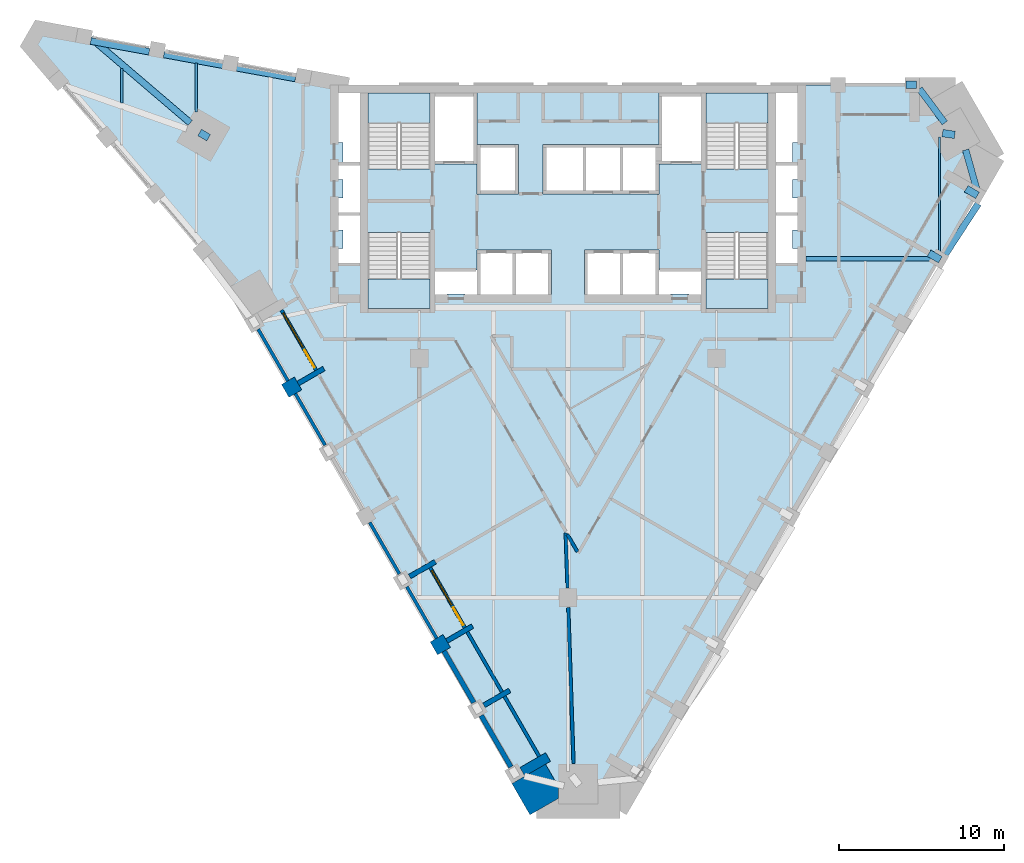
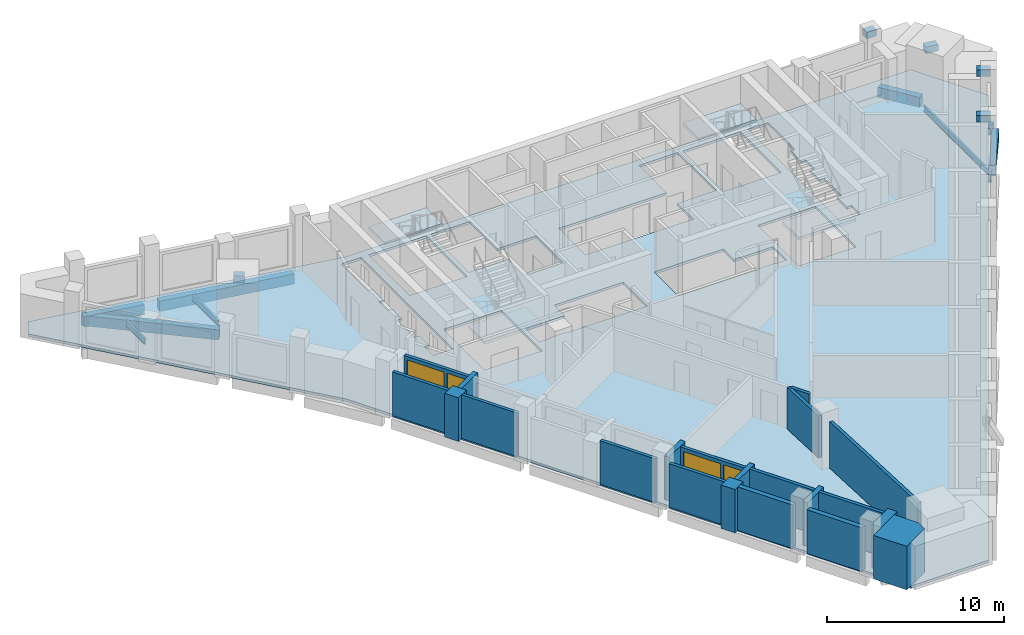
# One storey, part 2 of 9: 21 walls, 15 beams, 5 slabs, 2 doors, 2 windows, 4 openings, 4 elements without a shape of their own.
"""IFC4 building model written with IfcOpenShell, lengths in metres."""

import ifcopenshell
import ifcopenshell.guid

model = None  # the IFC model being written
_history = None  # IfcOwnerHistory: only IFC2X3 demands one
_inside = {}  # id of a spatial element -> (the spatial element, [elements in it])
_under = {}  # id of a project, library or spatial element -> (it, [spatial elements below it])
_declared = {}  # id of a project -> (the project, [libraries it declares])
_typed = {}  # id of a type object -> (the type object, [elements of that type])
_made_of = {}  # id of a material, layer set ... -> (it, [elements and type objects made of it])


def new_model(schema):
    """Start an empty IFC model of exactly this schema.

    Asked for "IFC4X3", IfcOpenShell would pick the latest addendum, in which some entities
    have other attributes; the version numbers below select the first issue.
    IFC2X3 requires an IfcOwnerHistory on every rooted entity: one is made here for all.
    """
    global model, _history
    if schema == "IFC4X3":
        model = ifcopenshell.file(schema_version=(4, 3, 0, 0))
    else:
        model = ifcopenshell.file(schema=schema)
    _inside.clear()
    _under.clear()
    _declared.clear()
    _typed.clear()
    _made_of.clear()
    _history = None
    if model.schema == "IFC2X3":
        org = make("IfcOrganization", Name="unknown")
        user = make(
            "IfcPersonAndOrganization",
            ThePerson=make("IfcPerson", FamilyName="unknown"),
            TheOrganization=org,
        )
        app = make(
            "IfcApplication",
            ApplicationDeveloper=org,
            Version="unknown",
            ApplicationFullName="unknown",
            ApplicationIdentifier="unknown",
        )
        _history = make(
            "IfcOwnerHistory",
            OwningUser=user,
            OwningApplication=app,
            ChangeAction="ADDED",
            CreationDate=0,
        )
    return model


def make(cls, **values):
    """One entity of the class cls with the attributes given. An attribute that is None is left unset."""
    return model.create_entity(
        cls, **{name: value for name, value in values.items() if value is not None}
    )


def rooted(cls, **values):
    """An entity with a GlobalId (a new one), such as an element, a storey or a relation."""
    return make(cls, GlobalId=ifcopenshell.guid.new(), OwnerHistory=_history, **values)


def si_unit(unit_type, name, prefix=None):
    """IfcSIUnit, for example si_unit("LENGTHUNIT", "METRE", prefix="MILLI")."""
    return make("IfcSIUnit", UnitType=unit_type, Prefix=prefix, Name=name)


def assignment(units):
    """IfcUnitAssignment: the units of a project."""
    return None if units is None else make("IfcUnitAssignment", Units=units)


def point(xyz):
    """IfcCartesianPoint."""
    return None if xyz is None else make("IfcCartesianPoint", Coordinates=xyz)


def direction(xyz):
    """IfcDirection."""
    return None if xyz is None else make("IfcDirection", DirectionRatios=xyz)


def frame(location, z_axis=None, x_axis=None):
    """IfcAxis2Placement3D, a coordinate frame: its origin and axes. An axis left out is left unset."""
    return make(
        "IfcAxis2Placement3D",
        Location=point(location),
        Axis=direction(z_axis),
        RefDirection=direction(x_axis),
    )


def frame_2d(location, x_axis=None):
    """IfcAxis2Placement2D, a coordinate frame in the plane: its origin and x axis."""
    return make(
        "IfcAxis2Placement2D", Location=point(location), RefDirection=direction(x_axis)
    )


def origin():
    """The frame at (0, 0, 0) with its axes left unset."""
    return frame((0.0, 0.0, 0.0))


def origin_2d():
    """The frame at (0, 0) in the plane with its x axis left unset."""
    return frame_2d((0.0, 0.0))


def place(relative_to, where):
    """IfcLocalPlacement: puts the frame where relative to a parent placement (None: the world)."""
    return make(
        "IfcLocalPlacement", PlacementRelTo=relative_to, RelativePlacement=where
    )


def context(
    kind, dimensions, precision=None, world=None, true_north=None, identifier=None
):
    """IfcGeometricRepresentationContext, for example the 3D "Model" context."""
    return make(
        "IfcGeometricRepresentationContext",
        ContextIdentifier=identifier,
        ContextType=kind,
        CoordinateSpaceDimension=dimensions,
        Precision=precision,
        WorldCoordinateSystem=world,
        TrueNorth=true_north,
    )


def subcontext(parent, identifier, kind, view, scale=None):
    """IfcGeometricRepresentationSubContext, for example "Body" below "Model"."""
    return make(
        "IfcGeometricRepresentationSubContext",
        ContextIdentifier=identifier,
        ContextType=kind,
        ParentContext=parent,
        TargetScale=scale,
        TargetView=view,
    )


def project(units=None, contexts=None):
    """IfcProject with its units and contexts."""
    return rooted(
        "IfcProject",
        Name="project",
        RepresentationContexts=contexts,
        UnitsInContext=assignment(units),
    )


def spatial(cls, under=None, at=None, **own):
    """A site, building, storey or space (cls), placed at a placement, below another one or the project."""
    s = rooted(cls, ObjectPlacement=at, **own)
    if under is not None:
        _under.setdefault(under.id(), (under, []))[1].append(s)
    return s


def polyline(points):
    """IfcPolyline through the points."""
    return make("IfcPolyline", Points=[point(p) for p in points])


def profile(cls, at=None, kind="AREA", **sizes):
    """A parametric profile (cls). Its sizes go by their IFC names, for example OverallWidth=200.0."""
    return make(cls, ProfileType=kind, Position=at, **sizes)


def rectangle(**sizes):
    """IfcRectangleProfileDef."""
    return profile("IfcRectangleProfileDef", **sizes)


def i_section(**sizes):
    """IfcIShapeProfileDef."""
    return profile("IfcIShapeProfileDef", **sizes)


def outline(outer, holes=None, kind="AREA"):
    """IfcArbitraryClosedProfileDef: a profile drawn as a closed curve; with holes, ...WithVoids."""
    if holes is None:
        return make("IfcArbitraryClosedProfileDef", ProfileType=kind, OuterCurve=outer)
    return make(
        "IfcArbitraryProfileDefWithVoids",
        ProfileType=kind,
        OuterCurve=outer,
        InnerCurves=holes,
    )


def extrude(swept, where, along, depth):
    """IfcExtrudedAreaSolid: the profile swept, set in the frame where, extruded along a direction by depth."""
    return make(
        "IfcExtrudedAreaSolid",
        SweptArea=swept,
        Position=where,
        ExtrudedDirection=direction(along),
        Depth=depth,
    )


def shape(context_of_items, identifier, shape_type, items):
    """IfcShapeRepresentation: the items that make up one representation, for example the "Body"."""
    return make(
        "IfcShapeRepresentation",
        ContextOfItems=context_of_items,
        RepresentationIdentifier=identifier,
        RepresentationType=shape_type,
        Items=items,
    )


def material(Name=None, Category=None):
    """IfcMaterial."""
    return make("IfcMaterial", Name=Name, Category=Category)


def layer(
    of_material, thickness, ventilated=None, Name=None, Category=None, Priority=None
):
    """IfcMaterialLayer: one layer of a wall or slab, of a material (None: an air gap)."""
    return make(
        "IfcMaterialLayer",
        Material=of_material,
        LayerThickness=thickness,
        IsVentilated=ventilated,
        Name=Name,
        Category=Category,
        Priority=Priority,
    )


def layer_set(layers, Name=None):
    """IfcMaterialLayerSet."""
    return make("IfcMaterialLayerSet", MaterialLayers=layers, LayerSetName=Name)


def material_profile(
    of_material, cross_section, Name=None, Category=None, Priority=None
):
    """IfcMaterialProfile: a cross section and its material."""
    return make(
        "IfcMaterialProfile",
        Name=Name,
        Material=of_material,
        Profile=cross_section,
        Priority=Priority,
        Category=Category,
    )


def profile_set(profiles, Name=None, composite=None):
    """IfcMaterialProfileSet."""
    return make(
        "IfcMaterialProfileSet",
        Name=Name,
        MaterialProfiles=profiles,
        CompositeProfile=composite,
    )


def made_of(thing, what):
    """Note that an element or type object is made of a material, layer set ...; save() writes the relation."""
    if what is not None:
        _made_of.setdefault(what.id(), (what, []))[1].append(thing)
    return thing


def type_object(cls, material=None, **own):
    """A type object (cls), such as IfcWallType, which elements share."""
    return made_of(rooted(cls, **own), material)


def element(
    cls,
    number,
    at=None,
    inside=None,
    cuts=None,
    type_object=None,
    material=None,
    context=None,
    identifier="Body",
    shape_type=None,
    held_by="IfcProductDefinitionShape",
    body=None,
    shapes=None,
    **own,
):
    """One element of the class cls, such as IfcWall. Its Tag is "e" and its number.

    at: its placement. inside: the storey or other place that contains it. cuts: it is an
    opening in that element (IfcRelVoidsElement). A single representation is given by context,
    identifier, shape_type and body (its items); several are given by shapes. held_by: the class
    of the entity that holds the representations. save() writes the other relations.
    """
    e = rooted(cls, Tag="e%d" % number, ObjectPlacement=at, **own)
    if body is not None:
        shapes = [shape(context, identifier, shape_type, body)]
    if shapes is not None:
        e.Representation = make(held_by, Representations=shapes)
    if inside is not None:
        _inside.setdefault(inside.id(), (inside, []))[1].append(e)
    if cuts is not None:
        rooted(
            "IfcRelVoidsElement", RelatingBuildingElement=cuts, RelatedOpeningElement=e
        )
    if type_object is not None:
        _typed.setdefault(type_object.id(), (type_object, []))[1].append(e)
    return made_of(e, material)


def fill(opening, filler):
    """IfcRelFillsElement: the door or window that sits in an opening."""
    return rooted(
        "IfcRelFillsElement",
        RelatingOpeningElement=opening,
        RelatedBuildingElement=filler,
    )


def aggregate(whole, parts):
    """IfcRelAggregates: a whole, such as a stair, and the parts it consists of."""
    return rooted("IfcRelAggregates", RelatingObject=whole, RelatedObjects=parts)


def save(model, path):
    """Write the relations noted so far, then the file.

    IfcRelAggregates (storeys below a building ...), IfcRelContainedInSpatialStructure (elements
    in a storey), IfcRelDefinesByType, IfcRelAssociatesMaterial and IfcRelDeclares: one each for
    every whole, place, type object, material and project.
    """
    for whole, parts in _under.values():
        aggregate(whole, parts)
    for where, things in _inside.values():
        rooted(
            "IfcRelContainedInSpatialStructure",
            RelatedElements=things,
            RelatingStructure=where,
        )
    for kind, things in _typed.values():
        rooted("IfcRelDefinesByType", RelatedObjects=things, RelatingType=kind)
    for what, things in _made_of.values():
        rooted("IfcRelAssociatesMaterial", RelatedObjects=things, RelatingMaterial=what)
    for by, libraries in _declared.values():
        rooted("IfcRelDeclares", RelatingContext=by, RelatedDefinitions=libraries)
    model.write(path)


model = new_model("IFC4")

# Units and contexts
model_context = context("Model", 3, precision=1e-05, world=origin(), true_north=direction((0.0, 1.0)))
body_context = subcontext(model_context, "Body", "Model", "MODEL_VIEW")
ifc_project = project(units=[si_unit("LENGTHUNIT", "METRE"), si_unit("AREAUNIT", "SQUARE_METRE"), si_unit("VOLUMEUNIT", "CUBIC_METRE"), si_unit("PLANEANGLEUNIT", "RADIAN"), si_unit("MASSUNIT", "GRAM", prefix="KILO")], contexts=[model_context])

# Site, building, storey
site_placement = place(None, origin())
site = spatial("IfcSite", under=ifc_project, at=site_placement, CompositionType="ELEMENT")
building_placement = place(site_placement, origin())
building = spatial("IfcBuilding", under=site, at=building_placement, Name="Calabash Gate Tower", CompositionType="ELEMENT")
storey_placement = place(building_placement, frame((0.0, 0.0, 227.60009765625)))
storey = spatial("IfcBuildingStorey", under=building, at=storey_placement, Name="L54", CompositionType="ELEMENT", Elevation=227.60009765625)

# Beams
ifc_material_1 = material(Name="Concrete C80/95", Category="concrete")
ifc_material_profile_1 = material_profile(ifc_material_1, rectangle(XDim=0.449951171875, YDim=0.449951171875, at=origin_2d()))
ifc_profile_set_1 = profile_set([ifc_material_profile_1], Name="Concrete C80/95")
beam_type_1 = type_object("IfcBeamType", Name="Column offset link RC 450x450 Concrete C80/95", PredefinedType="BEAM", material=ifc_profile_set_1)
beam_1_placement = place(storey_placement, frame((23.419921875, 16.02392578125, 3.50390625), z_axis=(-0.989753397628, 0.142787295944, 0.0), x_axis=(-0.142787295944, -0.989753397628, 0.0)))
element("IfcBeam", 1, at=beam_1_placement, inside=storey, type_object=beam_type_1, Name="Column offset link L54 NE", PredefinedType="BEAM", context=body_context, shape_type="SweptSolid", body=[
    extrude(rectangle(XDim=0.449951171875, YDim=0.449951171875, at=origin_2d()), origin(), (0.0, 0.0, 1.0), 0.750732421875),
])
beam_2_placement = place(storey_placement, frame((-21.7470703125, 15.85205078125, 3.50390625), z_axis=(-0.866185586049, 0.49972245349, 0.0), x_axis=(-0.49972245349, -0.866185586049, 0.0)))
element("IfcBeam", 2, at=beam_2_placement, inside=storey, type_object=beam_type_1, Name="Column offset link L54 NW", PredefinedType="BEAM", context=body_context, shape_type="SweptSolid", body=[
    extrude(rectangle(XDim=0.449951171875, YDim=0.449951171875, at=origin_2d()), origin(), (0.0, 0.0, 1.0), 0.630126953125),
])
for number, where, z_axis, x_axis, name in (
    (3, (22.5458984375, 8.466064453125, 3.50390625), (-0.866380295848, 0.499384804501, 0.0), (-0.499384804501, -0.866380295848, 0.0), "Column offset link L54 P12"),
    (4, (24.7958984375, 12.363037109375, 3.50390625), (-0.866380295848, 0.499384804501, 0.0), (-0.499384804501, -0.866380295848, 0.0), "Column offset link L54 P13"),
):
    element("IfcBeam", number, at=place(storey_placement, frame(where, z_axis=z_axis, x_axis=x_axis)), inside=storey, type_object=beam_type_1, Name=name, PredefinedType="BEAM", context=body_context, shape_type="SweptSolid", body=[
        extrude(rectangle(XDim=0.449951171875, YDim=0.449951171875, at=origin_2d()), origin(), (0.0, 0.0, 1.0), 0.79296875),
    ])
beam_3_placement = place(storey_placement, frame((21.10693359375, 19.052978515625, 3.50390625), z_axis=(-1.0, 0.0, 0.0), x_axis=(0.0, -1.0, 0.0)))
element("IfcBeam", 5, at=beam_3_placement, inside=storey, type_object=beam_type_1, Name="Column offset link L54 P24", PredefinedType="BEAM", context=body_context, shape_type="SweptSolid", body=[
    extrude(rectangle(XDim=0.449951171875, YDim=0.449951171875, at=origin_2d()), origin(), (0.0, 0.0, 1.0), 0.6298828125),
])
ifc_material_2 = material(Name="Concrete C50/60", Category="concrete")
ifc_material_profile_2 = material_profile(ifc_material_2, rectangle(XDim=0.39990234375, YDim=0.699951171875, at=origin_2d()))
ifc_profile_set_2 = profile_set([ifc_material_profile_2], Name="Concrete C50/60")
beam_type_2 = type_object("IfcBeamType", Name="Edge beam RC 400x700 Concrete C50/60", PredefinedType="BEAM", material=ifc_profile_set_2)
beam_4_placement = place(storey_placement, frame((22.846923828125, 8.785888671875, -0.52001953125), z_axis=(0.545171710291, 0.838324403974, 0.0), x_axis=(-0.838324403974, 0.545171710291, 0.0)))
element("IfcBeam", 6, at=beam_4_placement, inside=storey, type_object=beam_type_2, Name="Edge beam L54 10", PredefinedType="BEAM", context=body_context, shape_type="SweptSolid", body=[
    extrude(rectangle(XDim=0.39990234375, YDim=0.699951171875, at=origin_2d()), origin(), (0.0, 0.0, 1.0), 3.650146484375),
])
beam_5_placement = place(storey_placement, frame((24.85693359375, 12.346923828125, -0.52001953125), z_axis=(-0.270121095734, 0.962826356951, 0.0), x_axis=(-0.962826356951, -0.270121095734, 0.0)))
element("IfcBeam", 7, at=beam_5_placement, inside=storey, type_object=beam_type_2, Name="Edge beam L54 11", PredefinedType="BEAM", context=body_context, shape_type="SweptSolid", body=[
    extrude(rectangle(XDim=0.39990234375, YDim=0.699951171875, at=origin_2d()), origin(), (0.0, 0.0, 1.0), 2.8759765625),
])
beam_6_placement = place(storey_placement, frame((22.81689453125, 16.75, -0.52001953125), z_axis=(-0.598451550505, 0.801158999012, 0.0), x_axis=(-0.801158999012, -0.598451550505, 0.0)))
element("IfcBeam", 8, at=beam_6_placement, inside=storey, type_object=beam_type_2, Name="Edge beam L54 12", PredefinedType="BEAM", context=body_context, shape_type="SweptSolid", body=[
    extrude(rectangle(XDim=0.39990234375, YDim=0.699951171875, at=origin_2d()), origin(), (0.0, 0.0, 1.0), 2.574951171875),
])
beam_7_placement = place(storey_placement, frame((-16.491943359375, 19.43701171875, -0.52001953125), z_axis=(-0.983710376503, 0.179760660767, 0.0), x_axis=(-0.179760660767, -0.983710376503, 0.0)))
element("IfcBeam", 9, at=beam_7_placement, inside=storey, type_object=beam_type_2, Name="Edge beam L54 13", PredefinedType="BEAM", context=body_context, shape_type="SweptSolid", body=[
    extrude(rectangle(XDim=0.39990234375, YDim=0.699951171875, at=origin_2d()), origin(), (0.0, 0.0, 1.0), 8.099853515625),
])
beam_8_placement = place(storey_placement, frame((-25.343017578125, 21.056884765625, -0.52001953125), z_axis=(-0.983780846892, 0.179374594879, 0.0), x_axis=(-0.179374594879, -0.983780846892, 0.0)))
element("IfcBeam", 10, at=beam_8_placement, inside=storey, type_object=beam_type_2, Name="Edge beam L54 14", PredefinedType="BEAM", context=body_context, shape_type="SweptSolid", body=[
    extrude(rectangle(XDim=0.39990234375, YDim=0.699951171875, at=origin_2d()), origin(), (0.0, 0.0, 1.0), 3.601318359375),
])
beam_9_placement = place(storey_placement, frame((-28.8720703125, 21.884033203125, -0.52001953125), z_axis=(0.760395602706, -0.649460181524, 0.0), x_axis=(0.649460181524, 0.760395602706, 0.0)))
element("IfcBeam", 11, at=beam_9_placement, inside=storey, type_object=beam_type_2, Name="Edge beam L54 15", PredefinedType="BEAM", context=body_context, shape_type="SweptSolid", body=[
    extrude(rectangle(XDim=0.39990234375, YDim=0.699951171875, at=origin_2d()), origin(), (0.0, 0.0, 1.0), 7.905029296875),
])
ifc_material_3 = material(Name="Steel ASTM A992 Gr50", Category="steel")
ifc_material_profile_3 = material_profile(ifc_material_3, i_section(OverallWidth=0.1396484375, OverallDepth=0.398681640625, WebThickness=0.00634765625, FlangeThickness=0.0087890625, FilletRadius=0.01025390625, at=origin_2d()))
ifc_profile_set_3 = profile_set([ifc_material_profile_3], Name="Steel ASTM A992 Gr50")
beam_type_3 = type_object("IfcBeamType", Name="Floor beam W16x26 ASTM A992 Gr50", PredefinedType="BEAM", material=ifc_profile_set_3)
beam_10_placement = place(storey_placement, frame((-27.0, 17.947021484375, -0.369140625), z_axis=(0.0, 1.0, 0.0), x_axis=(-1.0, 0.0, 0.0)))
element("IfcBeam", 12, at=beam_10_placement, inside=storey, type_object=beam_type_3, Name="Floor beam L54 2", PredefinedType="BEAM", context=body_context, shape_type="SweptSolid", body=[
    extrude(i_section(OverallWidth=0.1396484375, OverallDepth=0.398681640625, WebThickness=0.00634765625, FlangeThickness=0.0087890625, FilletRadius=0.01025390625, at=origin_2d()), origin(), (0.0, 0.0, 1.0), 2.096923828125),
])
beam_11_placement = place(storey_placement, frame((-22.5, 17.402099609375, -0.369140625), z_axis=(0.0, 1.0, 0.0), x_axis=(-1.0, 0.0, 0.0)))
element("IfcBeam", 13, at=beam_11_placement, inside=storey, type_object=beam_type_3, Name="Floor beam L54 4", PredefinedType="BEAM", context=body_context, shape_type="SweptSolid", body=[
    extrude(i_section(OverallWidth=0.1396484375, OverallDepth=0.398681640625, WebThickness=0.00634765625, FlangeThickness=0.0087890625, FilletRadius=0.01025390625, at=origin_2d()), origin(), (0.0, 0.0, 1.0), 2.9609375),
])
beam_12_placement = place(storey_placement, frame((22.5, 8.634033203125, -0.369140625), z_axis=(0.0, 1.0, 0.0), x_axis=(-1.0, 0.0, 0.0)))
element("IfcBeam", 14, at=beam_12_placement, inside=storey, type_object=beam_type_3, Name="Floor beam L54 20", PredefinedType="BEAM", context=body_context, shape_type="SweptSolid", body=[
    extrude(i_section(OverallWidth=0.1396484375, OverallDepth=0.398681640625, WebThickness=0.00634765625, FlangeThickness=0.0087890625, FilletRadius=0.01025390625, at=origin_2d()), origin(), (0.0, 0.0, 1.0), 7.259033203125),
])
ifc_material_4 = material(Name="Steel ASTM A992 Gr50", Category="steel")
ifc_material_profile_4 = material_profile(ifc_material_4, i_section(OverallWidth=0.2666015625, OverallDepth=0.77978515625, WebThickness=0.0166015625, FlangeThickness=0.030029296875, FilletRadius=0.0166015625, at=origin_2d()))
ifc_profile_set_4 = profile_set([ifc_material_profile_4], Name="Steel ASTM A992 Gr50")
beam_type_4 = type_object("IfcBeamType", Name="Girder W30x148 ASTM A992 Gr50", PredefinedType="BEAM", material=ifc_profile_set_4)
beam_13_placement = place(storey_placement, frame((22.64208984375, 8.51611328125, -0.56005859375), z_axis=(-1.0, 0.0, 0.0), x_axis=(0.0, -1.0, 0.0)))
element("IfcBeam", 15, at=beam_13_placement, inside=storey, type_object=beam_type_4, Name="Girder L54 3", PredefinedType="BEAM", context=body_context, shape_type="SweptSolid", body=[
    extrude(i_section(OverallWidth=0.2666015625, OverallDepth=0.77978515625, WebThickness=0.0166015625, FlangeThickness=0.030029296875, FilletRadius=0.0166015625, at=origin_2d()), origin(), (0.0, 0.0, 1.0), 8.2421875),
])

# Slab
ifc_material_5 = material(Name="Concrete C40/50", Category="concrete")
ifc_layer_1 = layer(ifc_material_5, 0.169921875)
ifc_layer_set_1 = layer_set([ifc_layer_1], Name="Composite floor slab 170 Concrete C40/50")
slab_type_1 = type_object("IfcSlabType", Name="Composite floor slab 170 Concrete C40/50", PredefinedType="FLOOR", material=ifc_layer_set_1)
slab_1_placement = place(storey_placement, frame((0.0, 0.0, -0.170166015625)))
element("IfcSlab", 16, at=slab_1_placement, inside=storey, type_object=slab_type_1, Name="Floor slab L54", PredefinedType="FLOOR", context=body_context, shape_type="SweptSolid", body=[
    extrude(outline(polyline([(3.157958984375, -24.915283203125), (-1.906005859375, -24.915283203125), (-20.291015625, 6.92822265625), (-32.620361328125, 21.43115234375), (-32.015625, 22.478515625), (-13.291015625, 19.052490234375), (23.478759765625, 19.052490234375), (26.0107421875, 14.6669921875), (3.157958984375, -24.915283203125)]), holes=[polyline([(-7.324951171875, 6.3525390625), (-7.324951171875, 6.402587890625), (-6.22509765625, 6.402587890625), (-6.22509765625, 6.3525390625), (-5.5, 6.3525390625), (-3.25, 6.3525390625), (-1.0, 6.3525390625), (-1.0, 9.052490234375), (-3.25, 9.052490234375), (-5.5, 9.052490234375), (-5.5, 7.8525390625), (-8.050048828125, 7.8525390625), (-8.050048828125, 6.3525390625), (-7.324951171875, 6.3525390625)]), polyline([(8.050048828125, 6.3525390625), (8.050048828125, 7.8525390625), (5.5, 7.8525390625), (5.5, 9.052490234375), (3.25, 9.052490234375), (1.0, 9.052490234375), (1.0, 6.3525390625), (3.25, 6.3525390625), (5.5, 6.3525390625), (6.22509765625, 6.3525390625), (6.22509765625, 6.402587890625), (7.324951171875, 6.402587890625), (7.324951171875, 6.3525390625), (8.050048828125, 6.3525390625)]), polyline([(-8.050048828125, 18.552490234375), (-8.050048828125, 14.252685546875), (-5.5, 14.252685546875), (-5.5, 12.45263671875), (-3.0, 12.45263671875), (-3.0, 15.45263671875), (-5.5, 15.45263671875), (-5.5, 18.552490234375), (-8.050048828125, 18.552490234375)]), polyline([(5.5, 14.252685546875), (8.050048828125, 14.252685546875), (8.050048828125, 18.552490234375), (5.5, 18.552490234375), (5.5, 15.45263671875), (3.25, 15.45263671875), (1.0, 15.45263671875), (-1.5, 15.45263671875), (-1.5, 12.45263671875), (1.0, 12.45263671875), (3.25, 12.45263671875), (5.5, 12.45263671875), (5.5, 14.252685546875)]), polyline([(-12.10009765625, 13.95263671875), (-8.35009765625, 13.95263671875), (-8.35009765625, 18.552490234375), (-12.10009765625, 18.552490234375), (-12.10009765625, 13.95263671875)]), polyline([(-8.35009765625, 5.502685546875), (-8.35009765625, 10.1025390625), (-12.10009765625, 10.1025390625), (-12.10009765625, 5.502685546875), (-8.35009765625, 5.502685546875)]), polyline([(12.10009765625, 18.552490234375), (8.35009765625, 18.552490234375), (8.35009765625, 13.95263671875), (12.10009765625, 13.95263671875), (12.10009765625, 18.552490234375)]), polyline([(8.35009765625, 10.1025390625), (8.35009765625, 5.502685546875), (12.10009765625, 5.502685546875), (12.10009765625, 10.1025390625), (8.35009765625, 10.1025390625)]), polyline([(-13.89990234375, 8.1826171875), (-12.60009765625, 8.1826171875), (-12.60009765625, 11.232666015625), (-12.60009765625, 14.28271484375), (-12.60009765625, 18.552490234375), (-13.89990234375, 18.552490234375), (-13.89990234375, 15.550048828125), (-13.60009765625, 15.550048828125), (-13.60009765625, 14.28271484375), (-13.89990234375, 14.28271484375), (-13.89990234375, 13.3076171875), (-13.60009765625, 13.3076171875), (-13.60009765625, 12.20751953125), (-13.89990234375, 12.20751953125), (-13.89990234375, 11.232666015625), (-13.89990234375, 10.257568359375), (-13.60009765625, 10.257568359375), (-13.60009765625, 9.15771484375), (-13.89990234375, 9.15771484375), (-13.89990234375, 8.1826171875)]), polyline([(13.60009765625, 9.15771484375), (13.60009765625, 10.257568359375), (13.89990234375, 10.257568359375), (13.89990234375, 11.232666015625), (13.89990234375, 12.20751953125), (13.60009765625, 12.20751953125), (13.60009765625, 13.3076171875), (13.89990234375, 13.3076171875), (13.89990234375, 14.28271484375), (13.60009765625, 14.28271484375), (13.60009765625, 15.550048828125), (13.89990234375, 15.550048828125), (13.89990234375, 18.552490234375), (12.60009765625, 18.552490234375), (12.60009765625, 14.28271484375), (12.60009765625, 11.232666015625), (12.60009765625, 8.1826171875), (13.89990234375, 8.1826171875), (13.89990234375, 9.15771484375), (13.60009765625, 9.15771484375)])]), origin(), (0.0, 0.0, 1.0), 0.170166015625),
])

# Stair, slab
ifc_material_6 = material(Name="Concrete C40/50", Category="concrete")
stair_type = type_object("IfcStairType", Name="Exit stair 22 risers of 177.3 mm", PredefinedType="HALF_TURN_STAIR", material=ifc_material_6)
stair_1_placement = place(storey_placement, origin())
stair_1 = element("IfcStair", 17, at=stair_1_placement, inside=storey, type_object=stair_type, Name="L54 Exit stair ST1", PredefinedType="HALF_TURN_STAIR")
ifc_material_7 = material(Name="Concrete C40/50", Category="concrete")
ifc_layer_2 = layer(ifc_material_7, 0.199951171875)
ifc_layer_set_2 = layer_set([ifc_layer_2], Name="Stair landing SL200")
slab_type_2 = type_object("IfcSlabType", Name="Stair landing SL200", PredefinedType="LANDING", material=ifc_layer_set_2)
slab_2_placement = place(storey_placement, frame((0.0, 0.0, 1.75)))
slab_2 = element("IfcSlab", 18, at=slab_2_placement, type_object=slab_type_2, Name="ST1 landing 1", PredefinedType="LANDING", context=body_context, shape_type="SweptSolid", body=[
    extrude(outline(polyline([(-8.35009765625, 16.74267578125), (-8.35009765625, 18.552490234375), (-12.10009765625, 18.552490234375), (-12.10009765625, 16.74267578125), (-8.35009765625, 16.74267578125)])), origin(), (0.0, 0.0, 1.0), 0.199951171875),
])
aggregate(stair_1, [slab_2])

stair_2_placement = place(storey_placement, origin())
stair_2 = element("IfcStair", 19, at=stair_2_placement, inside=storey, type_object=stair_type, Name="L54 Exit stair ST2", PredefinedType="HALF_TURN_STAIR")
slab_3_placement = place(storey_placement, frame((0.0, 0.0, 1.75)))
slab_3 = element("IfcSlab", 20, at=slab_3_placement, type_object=slab_type_2, Name="ST2 landing 1", PredefinedType="LANDING", context=body_context, shape_type="SweptSolid", body=[
    extrude(outline(polyline([(-12.10009765625, 7.3125), (-12.10009765625, 5.502685546875), (-8.35009765625, 5.502685546875), (-8.35009765625, 7.3125), (-12.10009765625, 7.3125)])), origin(), (0.0, 0.0, 1.0), 0.199951171875),
])
aggregate(stair_2, [slab_3])

stair_3_placement = place(storey_placement, origin())
stair_3 = element("IfcStair", 21, at=stair_3_placement, inside=storey, type_object=stair_type, Name="L54 Exit stair ST3", PredefinedType="HALF_TURN_STAIR")
slab_4_placement = place(storey_placement, frame((0.0, 0.0, 1.75)))
slab_4 = element("IfcSlab", 22, at=slab_4_placement, type_object=slab_type_2, Name="ST3 landing 1", PredefinedType="LANDING", context=body_context, shape_type="SweptSolid", body=[
    extrude(outline(polyline([(12.10009765625, 16.74267578125), (12.10009765625, 18.552490234375), (8.35009765625, 18.552490234375), (8.35009765625, 16.74267578125), (12.10009765625, 16.74267578125)])), origin(), (0.0, 0.0, 1.0), 0.199951171875),
])
aggregate(stair_3, [slab_4])

stair_4_placement = place(storey_placement, origin())
stair_4 = element("IfcStair", 23, at=stair_4_placement, inside=storey, type_object=stair_type, Name="L54 Exit stair ST4", PredefinedType="HALF_TURN_STAIR")
slab_5_placement = place(storey_placement, frame((0.0, 0.0, 1.75)))
slab_5 = element("IfcSlab", 24, at=slab_5_placement, type_object=slab_type_2, Name="ST4 landing 1", PredefinedType="LANDING", context=body_context, shape_type="SweptSolid", body=[
    extrude(outline(polyline([(8.35009765625, 7.3125), (8.35009765625, 5.502685546875), (12.10009765625, 5.502685546875), (12.10009765625, 7.3125), (8.35009765625, 7.3125)])), origin(), (0.0, 0.0, 1.0), 0.199951171875),
])
aggregate(stair_4, [slab_5])

# Walls
ifc_material_8 = material(Name="Terracotta brick masonry, exposed face", Category="masonry")
ifc_layer_3 = layer(ifc_material_8, 2.35009765625)
ifc_layer_set_3 = layer_set([ifc_layer_3], Name="Brick corner mass wall 2350")
wall_type_1 = type_object("IfcWallType", Name="Brick corner mass wall 2350", PredefinedType="SOLIDWALL", material=ifc_layer_set_3)
wall_1_placement = place(storey_placement, origin())
element("IfcWall", 25, at=wall_1_placement, inside=storey, type_object=wall_type_1, Name="Brick corner pier S15 2a", PredefinedType="SOLIDWALL", context=body_context, shape_type="SweptSolid", body=[
    extrude(outline(polyline([(-0.573974609375, -23.422607421875), (-1.35302734375, -22.0732421875), (-3.38818359375, -23.248046875), (-2.2958984375, -25.14013671875), (-0.573974609375, -24.146240234375), (-0.573974609375, -23.422607421875)])), origin(), (0.0, 0.0, 1.0), 3.0),
])
ifc_material_9 = material(Name="Terracotta brick masonry, exposed face", Category="masonry")
ifc_layer_4 = layer(ifc_material_9, 0.89990234375)
ifc_layer_set_4 = layer_set([ifc_layer_4], Name="Brick end wall 900")
wall_type_2 = type_object("IfcWallType", Name="Brick end wall 900", PredefinedType="SOLIDWALL", material=ifc_layer_set_4)
for number, where, z_axis, x_axis, name in (
    (26, (-16.333740234375, 0.974365234375, 0.0), (0.0, 0.0, 1.0), (-0.865964261186, -0.500105887137, 0.0), "Brick pier S15 SW0.1"),
    (27, (-8.11328125, -15.064208984375, 0.0), (0.0, 0.0, 1.0), (0.866081705922, 0.499902469156, 0.0), "Brick pier S15 SW0.5"),
):
    element("IfcWall", number, at=place(storey_placement, frame(where, z_axis=z_axis, x_axis=x_axis)), inside=storey, type_object=wall_type_2, Name=name, PredefinedType="SOLIDWALL", context=body_context, shape_type="SweptSolid", body=[
        extrude(rectangle(XDim=0.900146484375, YDim=0.89990234375, at=frame_2d((0.4501953125, 0.0))), origin(), (0.0, 0.0, 1.0), 3.0),
    ])
ifc_material_10 = material(Name="Terracotta brick masonry, exposed face", Category="masonry")
ifc_layer_5 = layer(ifc_material_10, 0.300048828125)
ifc_layer_set_5 = layer_set([ifc_layer_5], Name="Brick infill panel wall 300")
wall_type_3 = type_object("IfcWallType", Name="Brick infill panel wall 300", PredefinedType="SOLIDWALL", material=ifc_layer_set_5)
for number, where, z_axis, x_axis, name in (
    (28, (-5.69873046875, -18.34619140625, 0.0), (0.0, 0.0, 1.0), (-0.50001992892, 0.866013897511, 0.0), "Brick panel S15 SW0.6"),
    (29, (-3.44873046875, -22.2431640625, 0.0), (0.0, 0.0, 1.0), (-0.50001992892, 0.866013897511, 0.0), "Brick panel S15 SW0.7"),
):
    element("IfcWall", number, at=place(storey_placement, frame(where, z_axis=z_axis, x_axis=x_axis)), inside=storey, type_object=wall_type_3, Name=name, PredefinedType="SOLIDWALL", context=body_context, shape_type="SweptSolid", body=[
        extrude(rectangle(XDim=3.599365234375, YDim=0.300048828125, at=frame_2d((1.7998046875, 0.0))), origin(), (0.0, 0.0, 1.0), 3.0),
    ])
ifc_material_11 = material(Name="Terracotta brick masonry, exposed face", Category="masonry")
ifc_layer_6 = layer(ifc_material_11, 0.300048828125)
ifc_layer_set_6 = layer_set([ifc_layer_6], Name="Brick loggia cheek wall 300")
wall_type_4 = type_object("IfcWallType", Name="Brick loggia cheek wall 300", PredefinedType="SOLIDWALL", material=ifc_layer_set_6)
for number, where, z_axis, x_axis, name in (
    (30, (-16.333740234375, 0.974365234375, 0.0), (0.0, 0.0, 1.0), (0.866047807691, 0.499961193289, 0.0), "Loggia cheek S15 SW0.1"),
    (31, (-9.583740234375, -10.717041015625, 0.0), (0.0, 0.0, 1.0), (0.866047807691, 0.499961193289, 0.0), "Loggia cheek S15 SW0.4"),
    (32, (-7.333740234375, -14.6142578125, 0.0), (0.0, 0.0, 1.0), (0.865989075817, 0.500062916607, 0.0), "Loggia cheek S15 SW0.5"),
    (33, (-5.083740234375, -18.51123046875, 0.0), (0.0, 0.0, 1.0), (0.866047807691, 0.499961193289, 0.0), "Loggia cheek S15 SW0.6"),
):
    element("IfcWall", number, at=place(storey_placement, frame(where, z_axis=z_axis, x_axis=x_axis)), inside=storey, type_object=wall_type_4, Name=name, PredefinedType="SOLIDWALL", context=body_context, shape_type="SweptSolid", body=[
        extrude(rectangle(XDim=1.800048828125, YDim=0.300048828125, at=frame_2d((0.89990234375, 0.0))), origin(), (0.0, 0.0, 1.0), 3.0),
    ])
wall_2_placement = place(storey_placement, frame((-2.7587890625, -22.538330078125, 0.0), z_axis=(0.0, 0.0, 1.0), x_axis=(0.866047807691, 0.499961193289, 0.0)))
element("IfcWall", 34, at=wall_2_placement, inside=storey, type_object=wall_type_4, Name="Loggia cheek S15 SW0.7", PredefinedType="SOLIDWALL", context=body_context, shape_type="SweptSolid", body=[
    extrude(rectangle(XDim=1.800048828125, YDim=0.60009765625, at=frame_2d((0.89990234375, 0.0))), origin(), (0.0, 0.0, 1.0), 3.0),
])
ifc_material_12 = material(Name="Gypsum board on steel studs, mineral wool", Category="steel")
ifc_layer_7 = layer(ifc_material_12, 0.199951171875)
ifc_layer_set_7 = layer_set([ifc_layer_7], Name="Partition 200 gypsum board EI 60")
wall_type_5 = type_object("IfcWallType", Name="Partition 200 gypsum board EI 60", PredefinedType="PARTITIONING", material=ifc_layer_set_7)
wall_3_placement = place(storey_placement, frame((0.020263671875, -12.60009765625, 0.0), z_axis=(0.0, 0.0, 1.0), x_axis=(0.033928355038, -0.999424267628, 0.0)))
element("IfcWall", 35, at=wall_3_placement, inside=storey, type_object=wall_type_5, Name="Partition", PredefinedType="PARTITIONING", context=body_context, shape_type="SweptSolid", body=[
    extrude(rectangle(XDim=9.43359375, YDim=0.199951171875, at=frame_2d((4.716796875, 0.0))), origin(), (0.0, 0.0, 1.0), 3.20166015625),
])
wall_4_placement = place(storey_placement, frame((-0.134033203125, -8.07958984375, 0.0), z_axis=(0.0, 0.0, 1.0), x_axis=(0.034171208609, -0.999415993719, 0.0)))
element("IfcWall", 36, at=wall_4_placement, inside=storey, type_object=wall_type_5, Name="Partition", PredefinedType="PARTITIONING", context=body_context, shape_type="SweptSolid", body=[
    extrude(rectangle(XDim=3.322265625, YDim=0.199951171875, at=frame_2d((1.6611328125, 0.0))), origin(), (0.0, 0.0, 1.0), 2.884033203125),
])
wall_5_placement = place(storey_placement, frame((-0.031005859375, -8.163818359375, 0.0), z_axis=(0.0, 0.0, 1.0), x_axis=(0.500314465278, -0.865843771031, 0.0)))
element("IfcWall", 37, at=wall_5_placement, inside=storey, type_object=wall_type_5, Name="Partition", PredefinedType="PARTITIONING", context=body_context, shape_type="SweptSolid", body=[
    extrude(rectangle(XDim=1.213623046875, YDim=0.199951171875, at=frame_2d((0.60693359375, 0.0))), origin(), (0.0, 0.0, 1.0), 2.884033203125),
])
ifc_material_13 = material(Name="Terracotta brick masonry, perforated", Category="masonry")
ifc_layer_8 = layer(ifc_material_13, 0.199951171875)
ifc_layer_set_8 = layer_set([ifc_layer_8], Name="Terracotta jaali screen A")
wall_type_6 = type_object("IfcWallType", Name="Terracotta jaali screen A", PredefinedType="SOLIDWALL", material=ifc_layer_set_8)
for number, where, z_axis, x_axis, name in (
    (38, (-18.74853515625, 4.256591796875, 0.0), (0.0, 0.0, 1.0), (0.500012057535, -0.866018442252, 0.0), "SCREEN A S15 SW0.1"),
    (39, (-16.49853515625, 0.359619140625, 0.0), (0.0, 0.0, 1.0), (0.500012057535, -0.866018442252, 0.0), "SCREEN A S15 SW0.2"),
):
    element("IfcWall", number, at=place(storey_placement, frame(where, z_axis=z_axis, x_axis=x_axis)), inside=storey, type_object=wall_type_6, Name=name, PredefinedType="SOLIDWALL", context=body_context, shape_type="SweptSolid", body=[
        extrude(rectangle(XDim=3.60009765625, YDim=0.199951171875, at=frame_2d((1.800048828125, 0.0))), origin(), (0.0, 0.0, 1.0), 3.0),
    ])
wall_6_placement = place(storey_placement, frame((-11.99853515625, -7.4345703125, 0.0), z_axis=(0.0, 0.0, 1.0), x_axis=(0.499982693035, -0.866035395735, 0.0)))
element("IfcWall", 40, at=wall_6_placement, inside=storey, type_object=wall_type_6, Name="SCREEN A S15 SW0.4", PredefinedType="SOLIDWALL", context=body_context, shape_type="SweptSolid", body=[
    extrude(rectangle(XDim=3.600341796875, YDim=0.199951171875, at=frame_2d((1.80029296875, 0.0))), origin(), (0.0, 0.0, 1.0), 3.0),
])
wall_7_placement = place(storey_placement, frame((-9.74853515625, -11.331787109375, 0.0), z_axis=(0.0, 0.0, 1.0), x_axis=(0.500012057535, -0.866018442252, 0.0)))
element("IfcWall", 41, at=wall_7_placement, inside=storey, type_object=wall_type_6, Name="SCREEN A S15 SW0.5", PredefinedType="SOLIDWALL", context=body_context, shape_type="SweptSolid", body=[
    extrude(rectangle(XDim=3.60009765625, YDim=0.199951171875, at=frame_2d((1.800048828125, 0.0))), origin(), (0.0, 0.0, 1.0), 3.0),
])

# Wall, openings, door, window
ifc_material_14 = material(Name="Aluminium framed window wall with insulated spandrel", Category="aluminium")
ifc_layer_9 = layer(ifc_material_14, 0.199951171875)
ifc_layer_set_9 = layer_set([ifc_layer_9], Name="Window wall 200")
wall_type_7 = type_object("IfcWallType", Name="Window wall 200", PredefinedType="ELEMENTEDWALL", material=ifc_layer_set_9)
wall_8_placement = place(storey_placement, frame((-17.339599609375, 5.41650390625, 0.0), z_axis=(0.0, 0.0, 1.0), x_axis=(0.499958946799, -0.866049104564, 0.0)))
wall_8 = element("IfcWall", 42, at=wall_8_placement, inside=storey, type_object=wall_type_7, Name="Window wall S15 SW0.1", PredefinedType="ELEMENTEDWALL", context=body_context, shape_type="SweptSolid", body=[
    extrude(rectangle(XDim=4.199951171875, YDim=0.199951171875, at=frame_2d((2.10009765625, 0.0))), origin(), (0.0, 0.0, 1.0), 2.949951171875),
])
opening_1_placement = place(wall_8_placement, frame((0.199951171875, 0.0, 0.449951171875)))
opening_1 = element("IfcOpeningElement", 43, at=opening_1_placement, cuts=wall_8, Name="Opening OW1", PredefinedType="OPENING", context=body_context, shape_type="SweptSolid", body=[
    extrude(rectangle(XDim=2.39990234375, YDim=2.25, at=frame_2d((1.199951171875, 1.125))), frame((0.0, 0.10986328125, 0.0), z_axis=(0.0, -1.0, 0.0), x_axis=(1.0, 0.0, 0.0)), (0.0, 0.0, 1.0), 0.219970703125),
])
opening_2_placement = place(wall_8_placement, frame((2.800048828125, 0.0, 0.0)))
opening_2 = element("IfcOpeningElement", 44, at=opening_2_placement, cuts=wall_8, Name="Opening O7-025", PredefinedType="OPENING", context=body_context, shape_type="SweptSolid", body=[
    extrude(rectangle(XDim=1.199951171875, YDim=2.699951171875, at=frame_2d((0.60009765625, 1.35009765625))), frame((0.0, 0.10986328125, 0.0), z_axis=(0.0, -1.0, 0.0), x_axis=(1.0, 0.0, 0.0)), (0.0, 0.0, 1.0), 0.219970703125),
])
ifc_material_15 = material(Name="Anodised aluminium frame, bronze finish, impact-rated laminated clear glazing", Category="aluminium")
door_type = type_object("IfcDoorType", Name="Loggia door DO1 1200x2700", OperationType="SLIDING_TO_LEFT", PredefinedType="DOOR", material=ifc_material_15)
door_1_placement = place(opening_2_placement, origin())
door_1 = element("IfcDoor", 45, at=door_1_placement, inside=storey, type_object=door_type, Name="Loggia door S15 SW0.1", OperationType="SINGLE_SWING_LEFT", OverallHeight=2.699951171875, OverallWidth=1.199951171875, PredefinedType="DOOR", context=body_context, shape_type="SweptSolid", body=[
    extrude(rectangle(XDim=1.199951171875, YDim=2.699951171875, at=frame_2d((0.60009765625, 1.35009765625))), frame((0.0, 0.02490234375, 0.0), z_axis=(0.0, -1.0, 0.0), x_axis=(1.0, 0.0, 0.0)), (0.0, 0.0, 1.0), 0.050048828125),
])
fill(opening_2, door_1)
ifc_material_16 = material(Name="Anodised aluminium frame, bronze finish, impact-rated laminated clear glazing", Category="aluminium")
window_type = type_object("IfcWindowType", Name="Window OW1 2400x2250", PartitioningType="DOUBLE_PANEL_VERTICAL", PredefinedType="WINDOW", material=ifc_material_16)
window_1_placement = place(opening_1_placement, origin())
window_1 = element("IfcWindow", 46, at=window_1_placement, inside=storey, type_object=window_type, Name="Window OW1 S15 SW0.1", OverallHeight=2.25, OverallWidth=2.39990234375, PartitioningType="SINGLE_PANEL", PredefinedType="WINDOW", context=body_context, shape_type="SweptSolid", body=[
    extrude(rectangle(XDim=2.39990234375, YDim=2.25, at=frame_2d((1.199951171875, 1.125))), frame((0.0, 0.030029296875, 0.0), z_axis=(0.0, -1.0, 0.0), x_axis=(1.0, 0.0, 0.0)), (0.0, 0.0, 1.0), 0.06005859375),
])
fill(opening_1, window_1)

wall_9_placement = place(storey_placement, frame((-8.339599609375, -10.171875, 0.0), z_axis=(0.0, 0.0, 1.0), x_axis=(0.499958946799, -0.866049104564, 0.0)))
wall_9 = element("IfcWall", 47, at=wall_9_placement, inside=storey, type_object=wall_type_7, Name="Window wall S15 SW0.5", PredefinedType="ELEMENTEDWALL", context=body_context, shape_type="SweptSolid", body=[
    extrude(rectangle(XDim=4.199951171875, YDim=0.199951171875, at=frame_2d((2.10009765625, 0.0))), origin(), (0.0, 0.0, 1.0), 2.949951171875),
])
opening_3_placement = place(wall_9_placement, frame((0.199951171875, 0.0, 0.449951171875)))
opening_3 = element("IfcOpeningElement", 48, at=opening_3_placement, cuts=wall_9, Name="Opening OW1", PredefinedType="OPENING", context=body_context, shape_type="SweptSolid", body=[
    extrude(rectangle(XDim=2.39990234375, YDim=2.25, at=frame_2d((1.199951171875, 1.125))), frame((0.0, 0.10986328125, 0.0), z_axis=(0.0, -1.0, 0.0), x_axis=(1.0, 0.0, 0.0)), (0.0, 0.0, 1.0), 0.219970703125),
])
opening_4_placement = place(wall_9_placement, frame((2.800048828125, 0.0, 0.0)))
opening_4 = element("IfcOpeningElement", 49, at=opening_4_placement, cuts=wall_9, Name="Opening O7-027", PredefinedType="OPENING", context=body_context, shape_type="SweptSolid", body=[
    extrude(rectangle(XDim=1.199951171875, YDim=2.699951171875, at=frame_2d((0.60009765625, 1.35009765625))), frame((0.0, 0.10986328125, 0.0), z_axis=(0.0, -1.0, 0.0), x_axis=(1.0, 0.0, 0.0)), (0.0, 0.0, 1.0), 0.219970703125),
])
door_2_placement = place(opening_4_placement, origin())
door_2 = element("IfcDoor", 50, at=door_2_placement, inside=storey, type_object=door_type, Name="Loggia door S15 SW0.5", OperationType="SINGLE_SWING_LEFT", OverallHeight=2.699951171875, OverallWidth=1.199951171875, PredefinedType="DOOR", context=body_context, shape_type="SweptSolid", body=[
    extrude(rectangle(XDim=1.199951171875, YDim=2.699951171875, at=frame_2d((0.60009765625, 1.35009765625))), frame((0.0, 0.02490234375, 0.0), z_axis=(0.0, -1.0, 0.0), x_axis=(1.0, 0.0, 0.0)), (0.0, 0.0, 1.0), 0.050048828125),
])
fill(opening_4, door_2)
window_2_placement = place(opening_3_placement, origin())
window_2 = element("IfcWindow", 51, at=window_2_placement, inside=storey, type_object=window_type, Name="Window OW1 S15 SW0.5", OverallHeight=2.25, OverallWidth=2.39990234375, PartitioningType="SINGLE_PANEL", PredefinedType="WINDOW", context=body_context, shape_type="SweptSolid", body=[
    extrude(rectangle(XDim=2.39990234375, YDim=2.25, at=frame_2d((1.199951171875, 1.125))), frame((0.0, 0.030029296875, 0.0), z_axis=(0.0, -1.0, 0.0), x_axis=(1.0, 0.0, 0.0)), (0.0, 0.0, 1.0), 0.06005859375),
])
fill(opening_3, window_2)

# Walls
for number, where, z_axis, x_axis, name in (
    (52, (-6.089599609375, -14.069091796875, 0.0), (0.0, 0.0, 1.0), (0.49998411664, -0.866034573852, 0.0), "Window wall S15 SW0.6"),
    (53, (-3.839599609375, -17.96630859375, 0.0), (0.0, 0.0, 1.0), (0.49998411664, -0.866034573852, 0.0), "Window wall S15 SW0.7"),
):
    element("IfcWall", number, at=place(storey_placement, frame(where, z_axis=z_axis, x_axis=x_axis)), inside=storey, type_object=wall_type_7, Name=name, PredefinedType="ELEMENTEDWALL", context=body_context, shape_type="SweptSolid", body=[
        extrude(rectangle(XDim=4.199951171875, YDim=0.199951171875, at=frame_2d((2.10009765625, 0.0))), origin(), (0.0, 0.0, 1.0), 3.0),
    ])

save(model, "model.ifc")
